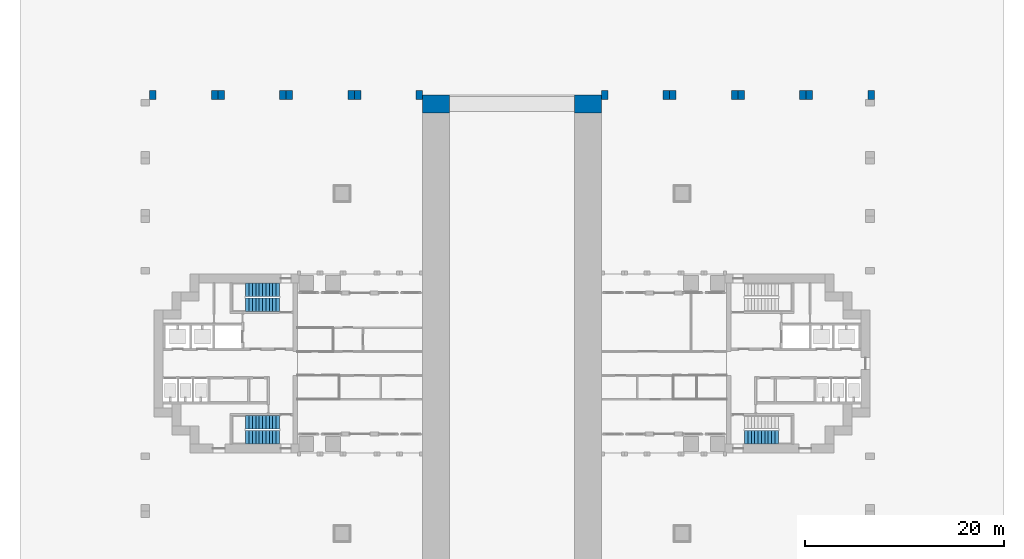
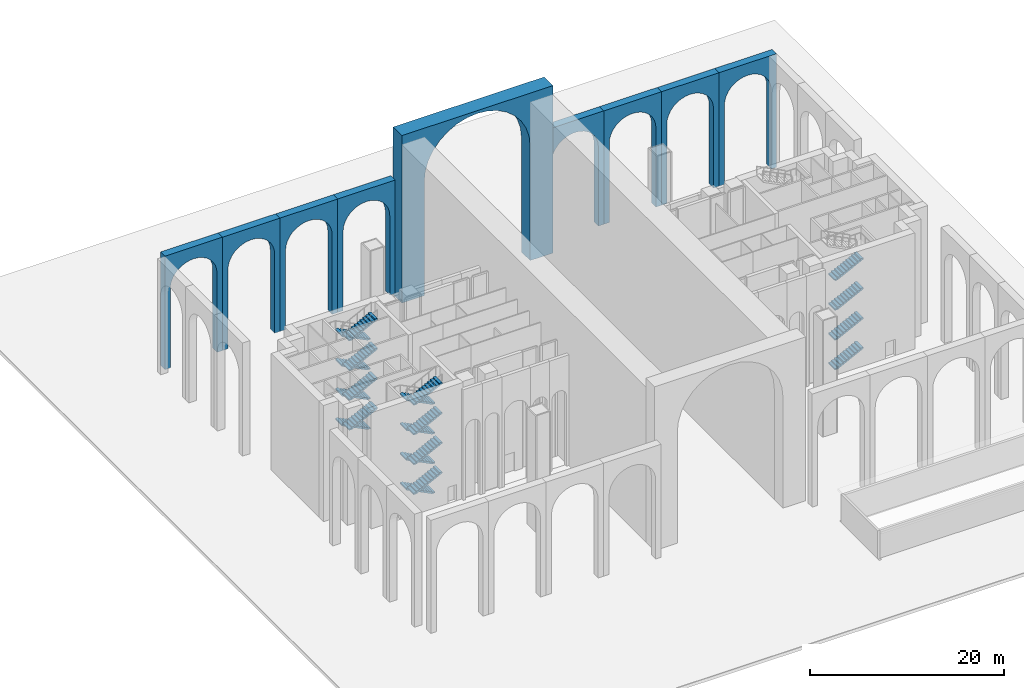
# One storey, part 10 of 18: 20 stair flights, 9 walls, 3 elements without a shape of their own.
"""IFC4 building model written with IfcOpenShell, lengths in metres."""

import ifcopenshell
import ifcopenshell.guid

model = None  # the IFC model being written
_history = None  # IfcOwnerHistory: only IFC2X3 demands one
_inside = {}  # id of a spatial element -> (the spatial element, [elements in it])
_under = {}  # id of a project, library or spatial element -> (it, [spatial elements below it])
_declared = {}  # id of a project -> (the project, [libraries it declares])
_typed = {}  # id of a type object -> (the type object, [elements of that type])
_made_of = {}  # id of a material, layer set ... -> (it, [elements and type objects made of it])


def new_model(schema):
    """Start an empty IFC model of exactly this schema.

    Asked for "IFC4X3", IfcOpenShell would pick the latest addendum, in which some entities
    have other attributes; the version numbers below select the first issue.
    IFC2X3 requires an IfcOwnerHistory on every rooted entity: one is made here for all.
    """
    global model, _history
    if schema == "IFC4X3":
        model = ifcopenshell.file(schema_version=(4, 3, 0, 0))
    else:
        model = ifcopenshell.file(schema=schema)
    _inside.clear()
    _under.clear()
    _declared.clear()
    _typed.clear()
    _made_of.clear()
    _history = None
    if model.schema == "IFC2X3":
        org = make("IfcOrganization", Name="unknown")
        user = make(
            "IfcPersonAndOrganization",
            ThePerson=make("IfcPerson", FamilyName="unknown"),
            TheOrganization=org,
        )
        app = make(
            "IfcApplication",
            ApplicationDeveloper=org,
            Version="unknown",
            ApplicationFullName="unknown",
            ApplicationIdentifier="unknown",
        )
        _history = make(
            "IfcOwnerHistory",
            OwningUser=user,
            OwningApplication=app,
            ChangeAction="ADDED",
            CreationDate=0,
        )
    return model


def make(cls, **values):
    """One entity of the class cls with the attributes given. An attribute that is None is left unset."""
    return model.create_entity(
        cls, **{name: value for name, value in values.items() if value is not None}
    )


def rooted(cls, **values):
    """An entity with a GlobalId (a new one), such as an element, a storey or a relation."""
    return make(cls, GlobalId=ifcopenshell.guid.new(), OwnerHistory=_history, **values)


def si_unit(unit_type, name, prefix=None):
    """IfcSIUnit, for example si_unit("LENGTHUNIT", "METRE", prefix="MILLI")."""
    return make("IfcSIUnit", UnitType=unit_type, Prefix=prefix, Name=name)


def assignment(units):
    """IfcUnitAssignment: the units of a project."""
    return None if units is None else make("IfcUnitAssignment", Units=units)


def point(xyz):
    """IfcCartesianPoint."""
    return None if xyz is None else make("IfcCartesianPoint", Coordinates=xyz)


def direction(xyz):
    """IfcDirection."""
    return None if xyz is None else make("IfcDirection", DirectionRatios=xyz)


def frame(location, z_axis=None, x_axis=None):
    """IfcAxis2Placement3D, a coordinate frame: its origin and axes. An axis left out is left unset."""
    return make(
        "IfcAxis2Placement3D",
        Location=point(location),
        Axis=direction(z_axis),
        RefDirection=direction(x_axis),
    )


def origin():
    """The frame at (0, 0, 0) with its axes left unset."""
    return frame((0.0, 0.0, 0.0))


def place(relative_to, where):
    """IfcLocalPlacement: puts the frame where relative to a parent placement (None: the world)."""
    return make(
        "IfcLocalPlacement", PlacementRelTo=relative_to, RelativePlacement=where
    )


def context(
    kind, dimensions, precision=None, world=None, true_north=None, identifier=None
):
    """IfcGeometricRepresentationContext, for example the 3D "Model" context."""
    return make(
        "IfcGeometricRepresentationContext",
        ContextIdentifier=identifier,
        ContextType=kind,
        CoordinateSpaceDimension=dimensions,
        Precision=precision,
        WorldCoordinateSystem=world,
        TrueNorth=true_north,
    )


def subcontext(parent, identifier, kind, view, scale=None):
    """IfcGeometricRepresentationSubContext, for example "Body" below "Model"."""
    return make(
        "IfcGeometricRepresentationSubContext",
        ContextIdentifier=identifier,
        ContextType=kind,
        ParentContext=parent,
        TargetScale=scale,
        TargetView=view,
    )


def project(units=None, contexts=None):
    """IfcProject with its units and contexts."""
    return rooted(
        "IfcProject",
        Name="project",
        RepresentationContexts=contexts,
        UnitsInContext=assignment(units),
    )


def spatial(cls, under=None, at=None, **own):
    """A site, building, storey or space (cls), placed at a placement, below another one or the project."""
    s = rooted(cls, ObjectPlacement=at, **own)
    if under is not None:
        _under.setdefault(under.id(), (under, []))[1].append(s)
    return s


def polyline(points):
    """IfcPolyline through the points."""
    return make("IfcPolyline", Points=[point(p) for p in points])


def outline(outer, holes=None, kind="AREA"):
    """IfcArbitraryClosedProfileDef: a profile drawn as a closed curve; with holes, ...WithVoids."""
    if holes is None:
        return make("IfcArbitraryClosedProfileDef", ProfileType=kind, OuterCurve=outer)
    return make(
        "IfcArbitraryProfileDefWithVoids",
        ProfileType=kind,
        OuterCurve=outer,
        InnerCurves=holes,
    )


def extrude(swept, where, along, depth):
    """IfcExtrudedAreaSolid: the profile swept, set in the frame where, extruded along a direction by depth."""
    return make(
        "IfcExtrudedAreaSolid",
        SweptArea=swept,
        Position=where,
        ExtrudedDirection=direction(along),
        Depth=depth,
    )


def shape(context_of_items, identifier, shape_type, items):
    """IfcShapeRepresentation: the items that make up one representation, for example the "Body"."""
    return make(
        "IfcShapeRepresentation",
        ContextOfItems=context_of_items,
        RepresentationIdentifier=identifier,
        RepresentationType=shape_type,
        Items=items,
    )


def material(Name=None, Category=None):
    """IfcMaterial."""
    return make("IfcMaterial", Name=Name, Category=Category)


def layer(
    of_material, thickness, ventilated=None, Name=None, Category=None, Priority=None
):
    """IfcMaterialLayer: one layer of a wall or slab, of a material (None: an air gap)."""
    return make(
        "IfcMaterialLayer",
        Material=of_material,
        LayerThickness=thickness,
        IsVentilated=ventilated,
        Name=Name,
        Category=Category,
        Priority=Priority,
    )


def layer_set(layers, Name=None):
    """IfcMaterialLayerSet."""
    return make("IfcMaterialLayerSet", MaterialLayers=layers, LayerSetName=Name)


def material_profile(
    of_material, cross_section, Name=None, Category=None, Priority=None
):
    """IfcMaterialProfile: a cross section and its material."""
    return make(
        "IfcMaterialProfile",
        Name=Name,
        Material=of_material,
        Profile=cross_section,
        Priority=Priority,
        Category=Category,
    )


def profile_set(profiles, Name=None, composite=None):
    """IfcMaterialProfileSet."""
    return make(
        "IfcMaterialProfileSet",
        Name=Name,
        MaterialProfiles=profiles,
        CompositeProfile=composite,
    )


def made_of(thing, what):
    """Note that an element or type object is made of a material, layer set ...; save() writes the relation."""
    if what is not None:
        _made_of.setdefault(what.id(), (what, []))[1].append(thing)
    return thing


def type_object(cls, material=None, **own):
    """A type object (cls), such as IfcWallType, which elements share."""
    return made_of(rooted(cls, **own), material)


def element(
    cls,
    number,
    at=None,
    inside=None,
    cuts=None,
    type_object=None,
    material=None,
    context=None,
    identifier="Body",
    shape_type=None,
    held_by="IfcProductDefinitionShape",
    body=None,
    shapes=None,
    **own,
):
    """One element of the class cls, such as IfcWall. Its Tag is "e" and its number.

    at: its placement. inside: the storey or other place that contains it. cuts: it is an
    opening in that element (IfcRelVoidsElement). A single representation is given by context,
    identifier, shape_type and body (its items); several are given by shapes. held_by: the class
    of the entity that holds the representations. save() writes the other relations.
    """
    e = rooted(cls, Tag="e%d" % number, ObjectPlacement=at, **own)
    if body is not None:
        shapes = [shape(context, identifier, shape_type, body)]
    if shapes is not None:
        e.Representation = make(held_by, Representations=shapes)
    if inside is not None:
        _inside.setdefault(inside.id(), (inside, []))[1].append(e)
    if cuts is not None:
        rooted(
            "IfcRelVoidsElement", RelatingBuildingElement=cuts, RelatedOpeningElement=e
        )
    if type_object is not None:
        _typed.setdefault(type_object.id(), (type_object, []))[1].append(e)
    return made_of(e, material)


def aggregate(whole, parts):
    """IfcRelAggregates: a whole, such as a stair, and the parts it consists of."""
    return rooted("IfcRelAggregates", RelatingObject=whole, RelatedObjects=parts)


def save(model, path):
    """Write the relations noted so far, then the file.

    IfcRelAggregates (storeys below a building ...), IfcRelContainedInSpatialStructure (elements
    in a storey), IfcRelDefinesByType, IfcRelAssociatesMaterial and IfcRelDeclares: one each for
    every whole, place, type object, material and project.
    """
    for whole, parts in _under.values():
        aggregate(whole, parts)
    for where, things in _inside.values():
        rooted(
            "IfcRelContainedInSpatialStructure",
            RelatedElements=things,
            RelatingStructure=where,
        )
    for kind, things in _typed.values():
        rooted("IfcRelDefinesByType", RelatedObjects=things, RelatingType=kind)
    for what, things in _made_of.values():
        rooted("IfcRelAssociatesMaterial", RelatedObjects=things, RelatingMaterial=what)
    for by, libraries in _declared.values():
        rooted("IfcRelDeclares", RelatingContext=by, RelatedDefinitions=libraries)
    model.write(path)


model = new_model("IFC4")

# Units and contexts
model_context = context("Model", 3, precision=1e-05, world=origin(), true_north=direction((0.0, 1.0)))
body_context = subcontext(model_context, "Body", "Model", "MODEL_VIEW")
ifc_project = project(units=[si_unit("LENGTHUNIT", "METRE"), si_unit("AREAUNIT", "SQUARE_METRE"), si_unit("VOLUMEUNIT", "CUBIC_METRE"), si_unit("PLANEANGLEUNIT", "RADIAN"), si_unit("MASSUNIT", "GRAM", prefix="KILO")], contexts=[model_context])

# Site, building, storey
site_placement = place(None, origin())
site = spatial("IfcSite", under=ifc_project, at=site_placement, CompositionType="ELEMENT")
building_placement = place(site_placement, origin())
building = spatial("IfcBuilding", under=site, at=building_placement, Name="Perihelion Cross Residences", CompositionType="ELEMENT")
storey_placement = place(building_placement, origin())
storey = spatial("IfcBuildingStorey", under=building, at=storey_placement, Name="L00", CompositionType="ELEMENT", Elevation=0.0)

# Walls
ifc_material_1 = material(Name="Concrete C50/60", Category="concrete")
ifc_layer = layer(ifc_material_1, 0.89990234375)
ifc_layer_set = layer_set([ifc_layer], Name="Loggia arcade wall 900, arched bay")
wall_type_1 = type_object("IfcWallType", Name="Loggia arcade wall 900, arched bay", PredefinedType="SOLIDWALL", material=ifc_layer_set)
for number, where, z_axis, x_axis, name in (
    (1, (36.449951171875, 26.550048828125, 0.0), (0.0, 1.0, 0.0), (-1.0, 0.0, 0.0), "Wall AR3 L00 loggia north-east north-south bay 1"),
    (2, (29.58740234375, 26.550048828125, 0.0), (0.0, 1.0, 0.0), (-1.0, 0.0, 0.0), "Wall AR3 L00 loggia north-east north-south bay 2"),
    (3, (22.72509765625, 26.550048828125, 0.0), (0.0, 1.0, 0.0), (-1.0, 0.0, 0.0), "Wall AR3 L00 loggia north-east north-south bay 3"),
    (4, (15.862548828125, 26.550048828125, 0.0), (0.0, 1.0, 0.0), (-1.0, 0.0, 0.0), "Wall AR3 L00 loggia north-east north-south bay 4"),
    (5, (-9.0, 26.550048828125, 0.0), (0.0, 1.0, 0.0), (-1.0, 0.0, 0.0), "Wall AR3 L00 loggia north-west north-south bay 1"),
    (6, (-15.862548828125, 26.550048828125, 0.0), (0.0, 1.0, 0.0), (-1.0, 0.0, 0.0), "Wall AR3 L00 loggia north-west north-south bay 2"),
    (7, (-22.72509765625, 26.550048828125, 0.0), (0.0, 1.0, 0.0), (-1.0, 0.0, 0.0), "Wall AR3 L00 loggia north-west north-south bay 3"),
    (8, (-29.58740234375, 26.550048828125, 0.0), (0.0, 1.0, 0.0), (-1.0, 0.0, 0.0), "Wall AR3 L00 loggia north-west north-south bay 4"),
):
    element("IfcWall", number, at=place(storey_placement, frame(where, z_axis=z_axis, x_axis=x_axis)), inside=storey, type_object=wall_type_1, Name=name, PredefinedType="SOLIDWALL", context=body_context, shape_type="SweptSolid", body=[
        extrude(outline(polyline([(0.0, 0.0), (0.64990234375, 0.0), (0.64990234375, 10.0), (0.703369140625, 10.54248046875), (0.86181640625, 11.064453125), (1.11865234375, 11.545166015625), (1.464599609375, 11.966552734375), (1.885986328125, 12.3125), (2.366943359375, 12.569580078125), (2.888671875, 12.727783203125), (3.43115234375, 12.78125), (3.973876953125, 12.727783203125), (4.49560546875, 12.569580078125), (4.976318359375, 12.3125), (5.39794921875, 11.966552734375), (5.743896484375, 11.545166015625), (6.000732421875, 11.064453125), (6.1591796875, 10.54248046875), (6.21240234375, 10.0), (6.21240234375, 0.0), (6.862548828125, 0.0), (6.862548828125, 14.300048828125), (0.0, 14.300048828125), (0.0, 0.0)])), origin(), (0.0, 0.0, 1.0), 0.89990234375),
    ])
ifc_material_2 = material(Name="Concrete C60/75", Category="concrete")
ifc_material_profile = material_profile(ifc_material_2, outline(polyline([(9.0, 21.10009765625), (-9.0, 21.10009765625), (-9.0, 0.0), (-6.300048828125, 0.0), (-6.300048828125, 14.449951171875), (-6.178955078125, 15.678955078125), (-5.820556640625, 16.86083984375), (-5.23828125, 17.9501953125), (-4.454833984375, 18.90478515625), (-3.5, 19.688232421875), (-2.410888671875, 20.2705078125), (-1.22900390625, 20.62890625), (0.0, 20.75), (1.22900390625, 20.62890625), (2.410888671875, 20.2705078125), (3.5, 19.688232421875), (4.454833984375, 18.90478515625), (5.23828125, 17.9501953125), (5.820556640625, 16.86083984375), (6.178955078125, 15.678955078125), (6.300048828125, 14.449951171875), (6.300048828125, 0.0), (9.0, 0.0), (9.0, 21.10009765625)])), Name="Portal wall")
ifc_profile_set = profile_set([ifc_material_profile], Name="Concrete C60/75")
wall_type_2 = type_object("IfcWallType", Name="Portal wall 1800 concrete C60/75", PredefinedType="SOLIDWALL", material=ifc_profile_set)
wall_placement = place(storey_placement, frame((0.0, 25.199951171875, -0.39990234375), z_axis=(0.0, 1.0, 0.0), x_axis=(-1.0, 0.0, 0.0)))
element("IfcWall", 9, at=wall_placement, inside=storey, type_object=wall_type_2, Name="Wall SW12 L00 portal north", PredefinedType="SOLIDWALL", context=body_context, shape_type="SweptSolid", body=[
    extrude(outline(polyline([(9.0, 21.10009765625), (-9.0, 21.10009765625), (-9.0, 0.0), (-6.300048828125, 0.0), (-6.300048828125, 14.449951171875), (-6.178955078125, 15.678955078125), (-5.820556640625, 16.86083984375), (-5.23828125, 17.9501953125), (-4.454833984375, 18.90478515625), (-3.5, 19.688232421875), (-2.410888671875, 20.2705078125), (-1.22900390625, 20.62890625), (0.0, 20.75), (1.22900390625, 20.62890625), (2.410888671875, 20.2705078125), (3.5, 19.688232421875), (4.454833984375, 18.90478515625), (5.23828125, 17.9501953125), (5.820556640625, 16.86083984375), (6.178955078125, 15.678955078125), (6.300048828125, 14.449951171875), (6.300048828125, 0.0), (9.0, 0.0), (9.0, 21.10009765625)])), origin(), (0.0, 0.0, 1.0), 1.800048828125),
])

# Stair, stair flights
ifc_material_3 = material(Name="Concrete C40/50", Category="concrete")
stair_type = type_object("IfcStairType", Name="Exit stair, half-turn", PredefinedType="HALF_TURN_STAIR", material=ifc_material_3)
stair_1_placement = place(storey_placement, origin())
stair_1 = element("IfcStair", 10, at=stair_1_placement, inside=storey, type_object=stair_type, Name="L00 East core exit stair 2", PredefinedType="HALF_TURN_STAIR")
ifc_material_4 = material(Name="Concrete C40/50", Category="concrete")
stair_flight_type = type_object("IfcStairFlightType", Name="Exit stair flight", PredefinedType="STRAIGHT", material=ifc_material_4)
stair_flight_1_placement = place(storey_placement, frame((23.39990234375, -7.425048828125, 0.0), z_axis=(0.0, 0.0, 1.0), x_axis=(1.0, 0.0, 0.0)))
stair_flight_1 = element("IfcStairFlight", 11, at=stair_flight_1_placement, type_object=stair_flight_type, Name="ST-E2 flight 1", NumberOfRisers=11, NumberOfTreads=10, PredefinedType="STRAIGHT", RiserHeight=0.170454545, TreadLength=0.34, context=body_context, shape_type="SweptSolid", body=[
    extrude(outline(polyline([(0.0, 0.0), (0.0, 0.17041015625), (0.340087890625, 0.17041015625), (0.340087890625, 0.3408203125), (0.679931640625, 0.3408203125), (0.679931640625, 0.511474609375), (1.02001953125, 0.511474609375), (1.02001953125, 0.681884765625), (1.360107421875, 0.681884765625), (1.360107421875, 0.852294921875), (1.699951171875, 0.852294921875), (1.699951171875, 1.022705078125), (2.0400390625, 1.022705078125), (2.0400390625, 1.193115234375), (2.3798828125, 1.193115234375), (2.3798828125, 1.363525390625), (2.719970703125, 1.363525390625), (2.719970703125, 1.5341796875), (3.06005859375, 1.5341796875), (3.06005859375, 1.70458984375), (3.39990234375, 1.70458984375), (3.39990234375, 1.875), (3.39990234375, 1.536865234375), (0.33447265625, 0.0), (0.0, 0.0)])), frame((0.0, 0.675048828125, 0.0), z_axis=(0.0, -1.0, 0.0), x_axis=(1.0, 0.0, 0.0)), (0.0, 0.0, 1.0), 1.35009765625),
])
stair_flight_2_placement = place(storey_placement, frame((23.39990234375, -7.425048828125, 3.75), z_axis=(0.0, 0.0, 1.0), x_axis=(1.0, 0.0, 0.0)))
stair_flight_2 = element("IfcStairFlight", 12, at=stair_flight_2_placement, type_object=stair_flight_type, Name="ST-E2 flight 3", NumberOfRisers=11, NumberOfTreads=10, PredefinedType="STRAIGHT", RiserHeight=0.170454545, TreadLength=0.34, context=body_context, shape_type="SweptSolid", body=[
    extrude(outline(polyline([(0.0, 0.0), (0.0, 0.17041015625), (0.340087890625, 0.17041015625), (0.340087890625, 0.3408203125), (0.679931640625, 0.3408203125), (0.679931640625, 0.511474609375), (1.02001953125, 0.511474609375), (1.02001953125, 0.681884765625), (1.360107421875, 0.681884765625), (1.360107421875, 0.852294921875), (1.699951171875, 0.852294921875), (1.699951171875, 1.022705078125), (2.0400390625, 1.022705078125), (2.0400390625, 1.193115234375), (2.3798828125, 1.193115234375), (2.3798828125, 1.363525390625), (2.719970703125, 1.363525390625), (2.719970703125, 1.5341796875), (3.06005859375, 1.5341796875), (3.06005859375, 1.70458984375), (3.39990234375, 1.70458984375), (3.39990234375, 1.875), (3.39990234375, 1.536865234375), (0.33447265625, 0.0), (0.0, 0.0)])), frame((0.0, 0.675048828125, 0.0), z_axis=(0.0, -1.0, 0.0), x_axis=(1.0, 0.0, 0.0)), (0.0, 0.0, 1.0), 1.35009765625),
])
stair_flight_3_placement = place(storey_placement, frame((23.39990234375, -7.425048828125, 7.5), z_axis=(0.0, 0.0, 1.0), x_axis=(1.0, 0.0, 0.0)))
stair_flight_3 = element("IfcStairFlight", 13, at=stair_flight_3_placement, type_object=stair_flight_type, Name="ST-E2 flight 5", NumberOfRisers=11, NumberOfTreads=10, PredefinedType="STRAIGHT", RiserHeight=0.170454545, TreadLength=0.34, context=body_context, shape_type="SweptSolid", body=[
    extrude(outline(polyline([(0.0, 0.0), (0.0, 0.17041015625), (0.340087890625, 0.17041015625), (0.340087890625, 0.3408203125), (0.679931640625, 0.3408203125), (0.679931640625, 0.511474609375), (1.02001953125, 0.511474609375), (1.02001953125, 0.681884765625), (1.360107421875, 0.681884765625), (1.360107421875, 0.852294921875), (1.699951171875, 0.852294921875), (1.699951171875, 1.022705078125), (2.0400390625, 1.022705078125), (2.0400390625, 1.193115234375), (2.3798828125, 1.193115234375), (2.3798828125, 1.363525390625), (2.719970703125, 1.363525390625), (2.719970703125, 1.5341796875), (3.06005859375, 1.5341796875), (3.06005859375, 1.70458984375), (3.39990234375, 1.70458984375), (3.39990234375, 1.875), (3.39990234375, 1.536865234375), (0.33447265625, 0.0), (0.0, 0.0)])), frame((0.0, 0.675048828125, 0.0), z_axis=(0.0, -1.0, 0.0), x_axis=(1.0, 0.0, 0.0)), (0.0, 0.0, 1.0), 1.35009765625),
])
stair_flight_4_placement = place(storey_placement, frame((23.39990234375, -7.425048828125, 11.25), z_axis=(0.0, 0.0, 1.0), x_axis=(1.0, 0.0, 0.0)))
stair_flight_4 = element("IfcStairFlight", 14, at=stair_flight_4_placement, type_object=stair_flight_type, Name="ST-E2 flight 7", NumberOfRisers=11, NumberOfTreads=10, PredefinedType="STRAIGHT", RiserHeight=0.170454545, TreadLength=0.34, context=body_context, shape_type="SweptSolid", body=[
    extrude(outline(polyline([(0.0, 0.0), (0.0, 0.17041015625), (0.340087890625, 0.17041015625), (0.340087890625, 0.3408203125), (0.679931640625, 0.3408203125), (0.679931640625, 0.511474609375), (1.02001953125, 0.511474609375), (1.02001953125, 0.681884765625), (1.360107421875, 0.681884765625), (1.360107421875, 0.852294921875), (1.699951171875, 0.852294921875), (1.699951171875, 1.022705078125), (2.0400390625, 1.022705078125), (2.0400390625, 1.193115234375), (2.3798828125, 1.193115234375), (2.3798828125, 1.363525390625), (2.719970703125, 1.363525390625), (2.719970703125, 1.5341796875), (3.06005859375, 1.5341796875), (3.06005859375, 1.70458984375), (3.39990234375, 1.70458984375), (3.39990234375, 1.875), (3.39990234375, 1.536865234375), (0.33447265625, 0.0), (0.0, 0.0)])), frame((0.0, 0.675048828125, 0.0), z_axis=(0.0, -1.0, 0.0), x_axis=(1.0, 0.0, 0.0)), (0.0, 0.0, 1.0), 1.35009765625),
])
aggregate(stair_1, [stair_flight_1, stair_flight_2, stair_flight_3, stair_flight_4])

stair_2_placement = place(storey_placement, origin())
stair_2 = element("IfcStair", 15, at=stair_2_placement, inside=storey, type_object=stair_type, Name="L00 West core exit stair 1", PredefinedType="HALF_TURN_STAIR")
stair_flight_5_placement = place(storey_placement, frame((-23.39990234375, 7.425048828125, 0.0), z_axis=(0.0, 0.0, 1.0), x_axis=(-1.0, 0.0, 0.0)))
stair_flight_5 = element("IfcStairFlight", 16, at=stair_flight_5_placement, type_object=stair_flight_type, Name="ST-W1 flight 1", NumberOfRisers=11, NumberOfTreads=10, PredefinedType="STRAIGHT", RiserHeight=0.170454545, TreadLength=0.34, context=body_context, shape_type="SweptSolid", body=[
    extrude(outline(polyline([(0.0, 0.0), (0.0, 0.17041015625), (0.340087890625, 0.17041015625), (0.340087890625, 0.3408203125), (0.679931640625, 0.3408203125), (0.679931640625, 0.511474609375), (1.02001953125, 0.511474609375), (1.02001953125, 0.681884765625), (1.360107421875, 0.681884765625), (1.360107421875, 0.852294921875), (1.699951171875, 0.852294921875), (1.699951171875, 1.022705078125), (2.0400390625, 1.022705078125), (2.0400390625, 1.193115234375), (2.3798828125, 1.193115234375), (2.3798828125, 1.363525390625), (2.719970703125, 1.363525390625), (2.719970703125, 1.5341796875), (3.06005859375, 1.5341796875), (3.06005859375, 1.70458984375), (3.39990234375, 1.70458984375), (3.39990234375, 1.875), (3.39990234375, 1.536865234375), (0.33447265625, 0.0), (0.0, 0.0)])), frame((0.0, 0.675048828125, 0.0), z_axis=(0.0, -1.0, 0.0), x_axis=(1.0, 0.0, 0.0)), (0.0, 0.0, 1.0), 1.35009765625),
])
stair_flight_6_placement = place(storey_placement, frame((-26.800048828125, 5.925048828125, 1.875), z_axis=(0.0, 0.0, 1.0), x_axis=(1.0, 0.0, 0.0)))
stair_flight_6 = element("IfcStairFlight", 17, at=stair_flight_6_placement, type_object=stair_flight_type, Name="ST-W1 flight 2", NumberOfRisers=11, NumberOfTreads=10, PredefinedType="STRAIGHT", RiserHeight=0.170454545, TreadLength=0.34, context=body_context, shape_type="SweptSolid", body=[
    extrude(outline(polyline([(0.0, 0.0), (0.0, 0.17041015625), (0.340087890625, 0.17041015625), (0.340087890625, 0.3408203125), (0.679931640625, 0.3408203125), (0.679931640625, 0.511474609375), (1.02001953125, 0.511474609375), (1.02001953125, 0.681884765625), (1.360107421875, 0.681884765625), (1.360107421875, 0.852294921875), (1.699951171875, 0.852294921875), (1.699951171875, 1.022705078125), (2.0400390625, 1.022705078125), (2.0400390625, 1.193115234375), (2.3798828125, 1.193115234375), (2.3798828125, 1.363525390625), (2.719970703125, 1.363525390625), (2.719970703125, 1.5341796875), (3.06005859375, 1.5341796875), (3.06005859375, 1.70458984375), (3.39990234375, 1.70458984375), (3.39990234375, 1.875), (3.39990234375, 1.536865234375), (0.33447265625, 0.0), (0.0, 0.0)])), frame((0.0, 0.675048828125, 0.0), z_axis=(0.0, -1.0, 0.0), x_axis=(1.0, 0.0, 0.0)), (0.0, 0.0, 1.0), 1.35009765625),
])
stair_flight_7_placement = place(storey_placement, frame((-23.39990234375, 7.425048828125, 3.75), z_axis=(0.0, 0.0, 1.0), x_axis=(-1.0, 0.0, 0.0)))
stair_flight_7 = element("IfcStairFlight", 18, at=stair_flight_7_placement, type_object=stair_flight_type, Name="ST-W1 flight 3", NumberOfRisers=11, NumberOfTreads=10, PredefinedType="STRAIGHT", RiserHeight=0.170454545, TreadLength=0.34, context=body_context, shape_type="SweptSolid", body=[
    extrude(outline(polyline([(0.0, 0.0), (0.0, 0.17041015625), (0.340087890625, 0.17041015625), (0.340087890625, 0.3408203125), (0.679931640625, 0.3408203125), (0.679931640625, 0.511474609375), (1.02001953125, 0.511474609375), (1.02001953125, 0.681884765625), (1.360107421875, 0.681884765625), (1.360107421875, 0.852294921875), (1.699951171875, 0.852294921875), (1.699951171875, 1.022705078125), (2.0400390625, 1.022705078125), (2.0400390625, 1.193115234375), (2.3798828125, 1.193115234375), (2.3798828125, 1.363525390625), (2.719970703125, 1.363525390625), (2.719970703125, 1.5341796875), (3.06005859375, 1.5341796875), (3.06005859375, 1.70458984375), (3.39990234375, 1.70458984375), (3.39990234375, 1.875), (3.39990234375, 1.536865234375), (0.33447265625, 0.0), (0.0, 0.0)])), frame((0.0, 0.675048828125, 0.0), z_axis=(0.0, -1.0, 0.0), x_axis=(1.0, 0.0, 0.0)), (0.0, 0.0, 1.0), 1.35009765625),
])
stair_flight_8_placement = place(storey_placement, frame((-26.800048828125, 5.925048828125, 5.625), z_axis=(0.0, 0.0, 1.0), x_axis=(1.0, 0.0, 0.0)))
stair_flight_8 = element("IfcStairFlight", 19, at=stair_flight_8_placement, type_object=stair_flight_type, Name="ST-W1 flight 4", NumberOfRisers=11, NumberOfTreads=10, PredefinedType="STRAIGHT", RiserHeight=0.170454545, TreadLength=0.34, context=body_context, shape_type="SweptSolid", body=[
    extrude(outline(polyline([(0.0, 0.0), (0.0, 0.17041015625), (0.340087890625, 0.17041015625), (0.340087890625, 0.3408203125), (0.679931640625, 0.3408203125), (0.679931640625, 0.511474609375), (1.02001953125, 0.511474609375), (1.02001953125, 0.681884765625), (1.360107421875, 0.681884765625), (1.360107421875, 0.852294921875), (1.699951171875, 0.852294921875), (1.699951171875, 1.022705078125), (2.0400390625, 1.022705078125), (2.0400390625, 1.193115234375), (2.3798828125, 1.193115234375), (2.3798828125, 1.363525390625), (2.719970703125, 1.363525390625), (2.719970703125, 1.5341796875), (3.06005859375, 1.5341796875), (3.06005859375, 1.70458984375), (3.39990234375, 1.70458984375), (3.39990234375, 1.875), (3.39990234375, 1.536865234375), (0.33447265625, 0.0), (0.0, 0.0)])), frame((0.0, 0.675048828125, 0.0), z_axis=(0.0, -1.0, 0.0), x_axis=(1.0, 0.0, 0.0)), (0.0, 0.0, 1.0), 1.35009765625),
])
stair_flight_9_placement = place(storey_placement, frame((-23.39990234375, 7.425048828125, 7.5), z_axis=(0.0, 0.0, 1.0), x_axis=(-1.0, 0.0, 0.0)))
stair_flight_9 = element("IfcStairFlight", 20, at=stair_flight_9_placement, type_object=stair_flight_type, Name="ST-W1 flight 5", NumberOfRisers=11, NumberOfTreads=10, PredefinedType="STRAIGHT", RiserHeight=0.170454545, TreadLength=0.34, context=body_context, shape_type="SweptSolid", body=[
    extrude(outline(polyline([(0.0, 0.0), (0.0, 0.17041015625), (0.340087890625, 0.17041015625), (0.340087890625, 0.3408203125), (0.679931640625, 0.3408203125), (0.679931640625, 0.511474609375), (1.02001953125, 0.511474609375), (1.02001953125, 0.681884765625), (1.360107421875, 0.681884765625), (1.360107421875, 0.852294921875), (1.699951171875, 0.852294921875), (1.699951171875, 1.022705078125), (2.0400390625, 1.022705078125), (2.0400390625, 1.193115234375), (2.3798828125, 1.193115234375), (2.3798828125, 1.363525390625), (2.719970703125, 1.363525390625), (2.719970703125, 1.5341796875), (3.06005859375, 1.5341796875), (3.06005859375, 1.70458984375), (3.39990234375, 1.70458984375), (3.39990234375, 1.875), (3.39990234375, 1.536865234375), (0.33447265625, 0.0), (0.0, 0.0)])), frame((0.0, 0.675048828125, 0.0), z_axis=(0.0, -1.0, 0.0), x_axis=(1.0, 0.0, 0.0)), (0.0, 0.0, 1.0), 1.35009765625),
])
stair_flight_10_placement = place(storey_placement, frame((-26.800048828125, 5.925048828125, 9.375), z_axis=(0.0, 0.0, 1.0), x_axis=(1.0, 0.0, 0.0)))
stair_flight_10 = element("IfcStairFlight", 21, at=stair_flight_10_placement, type_object=stair_flight_type, Name="ST-W1 flight 6", NumberOfRisers=11, NumberOfTreads=10, PredefinedType="STRAIGHT", RiserHeight=0.170454545, TreadLength=0.34, context=body_context, shape_type="SweptSolid", body=[
    extrude(outline(polyline([(0.0, 0.0), (0.0, 0.17041015625), (0.340087890625, 0.17041015625), (0.340087890625, 0.3408203125), (0.679931640625, 0.3408203125), (0.679931640625, 0.511474609375), (1.02001953125, 0.511474609375), (1.02001953125, 0.681884765625), (1.360107421875, 0.681884765625), (1.360107421875, 0.852294921875), (1.699951171875, 0.852294921875), (1.699951171875, 1.022705078125), (2.0400390625, 1.022705078125), (2.0400390625, 1.193115234375), (2.3798828125, 1.193115234375), (2.3798828125, 1.363525390625), (2.719970703125, 1.363525390625), (2.719970703125, 1.5341796875), (3.06005859375, 1.5341796875), (3.06005859375, 1.70458984375), (3.39990234375, 1.70458984375), (3.39990234375, 1.875), (3.39990234375, 1.536865234375), (0.33447265625, 0.0), (0.0, 0.0)])), frame((0.0, 0.675048828125, 0.0), z_axis=(0.0, -1.0, 0.0), x_axis=(1.0, 0.0, 0.0)), (0.0, 0.0, 1.0), 1.35009765625),
])
stair_flight_11_placement = place(storey_placement, frame((-23.39990234375, 7.425048828125, 11.25), z_axis=(0.0, 0.0, 1.0), x_axis=(-1.0, 0.0, 0.0)))
stair_flight_11 = element("IfcStairFlight", 22, at=stair_flight_11_placement, type_object=stair_flight_type, Name="ST-W1 flight 7", NumberOfRisers=11, NumberOfTreads=10, PredefinedType="STRAIGHT", RiserHeight=0.170454545, TreadLength=0.34, context=body_context, shape_type="SweptSolid", body=[
    extrude(outline(polyline([(0.0, 0.0), (0.0, 0.17041015625), (0.340087890625, 0.17041015625), (0.340087890625, 0.3408203125), (0.679931640625, 0.3408203125), (0.679931640625, 0.511474609375), (1.02001953125, 0.511474609375), (1.02001953125, 0.681884765625), (1.360107421875, 0.681884765625), (1.360107421875, 0.852294921875), (1.699951171875, 0.852294921875), (1.699951171875, 1.022705078125), (2.0400390625, 1.022705078125), (2.0400390625, 1.193115234375), (2.3798828125, 1.193115234375), (2.3798828125, 1.363525390625), (2.719970703125, 1.363525390625), (2.719970703125, 1.5341796875), (3.06005859375, 1.5341796875), (3.06005859375, 1.70458984375), (3.39990234375, 1.70458984375), (3.39990234375, 1.875), (3.39990234375, 1.536865234375), (0.33447265625, 0.0), (0.0, 0.0)])), frame((0.0, 0.675048828125, 0.0), z_axis=(0.0, -1.0, 0.0), x_axis=(1.0, 0.0, 0.0)), (0.0, 0.0, 1.0), 1.35009765625),
])
stair_flight_12_placement = place(storey_placement, frame((-26.800048828125, 5.925048828125, 13.125), z_axis=(0.0, 0.0, 1.0), x_axis=(1.0, 0.0, 0.0)))
stair_flight_12 = element("IfcStairFlight", 23, at=stair_flight_12_placement, type_object=stair_flight_type, Name="ST-W1 flight 8", NumberOfRisers=11, NumberOfTreads=10, PredefinedType="STRAIGHT", RiserHeight=0.170454545, TreadLength=0.34, context=body_context, shape_type="SweptSolid", body=[
    extrude(outline(polyline([(0.0, 0.0), (0.0, 0.17041015625), (0.340087890625, 0.17041015625), (0.340087890625, 0.3408203125), (0.679931640625, 0.3408203125), (0.679931640625, 0.511474609375), (1.02001953125, 0.511474609375), (1.02001953125, 0.681884765625), (1.360107421875, 0.681884765625), (1.360107421875, 0.852294921875), (1.699951171875, 0.852294921875), (1.699951171875, 1.022705078125), (2.0400390625, 1.022705078125), (2.0400390625, 1.193115234375), (2.3798828125, 1.193115234375), (2.3798828125, 1.363525390625), (2.719970703125, 1.363525390625), (2.719970703125, 1.5341796875), (3.06005859375, 1.5341796875), (3.06005859375, 1.70458984375), (3.39990234375, 1.70458984375), (3.39990234375, 1.875), (3.39990234375, 1.536865234375), (0.33447265625, 0.0), (0.0, 0.0)])), frame((0.0, 0.675048828125, 0.0), z_axis=(0.0, -1.0, 0.0), x_axis=(1.0, 0.0, 0.0)), (0.0, 0.0, 1.0), 1.35009765625),
])
aggregate(stair_2, [stair_flight_5, stair_flight_6, stair_flight_7, stair_flight_8, stair_flight_9, stair_flight_10, stair_flight_11, stair_flight_12])

stair_3_placement = place(storey_placement, origin())
stair_3 = element("IfcStair", 24, at=stair_3_placement, inside=storey, type_object=stair_type, Name="L00 West core exit stair 2", PredefinedType="HALF_TURN_STAIR")
stair_flight_13_placement = place(storey_placement, frame((-23.39990234375, -5.925048828125, 0.0), z_axis=(0.0, 0.0, 1.0), x_axis=(-1.0, 0.0, 0.0)))
stair_flight_13 = element("IfcStairFlight", 25, at=stair_flight_13_placement, type_object=stair_flight_type, Name="ST-W2 flight 1", NumberOfRisers=11, NumberOfTreads=10, PredefinedType="STRAIGHT", RiserHeight=0.170454545, TreadLength=0.34, context=body_context, shape_type="SweptSolid", body=[
    extrude(outline(polyline([(0.0, 0.0), (0.0, 0.17041015625), (0.340087890625, 0.17041015625), (0.340087890625, 0.3408203125), (0.679931640625, 0.3408203125), (0.679931640625, 0.511474609375), (1.02001953125, 0.511474609375), (1.02001953125, 0.681884765625), (1.360107421875, 0.681884765625), (1.360107421875, 0.852294921875), (1.699951171875, 0.852294921875), (1.699951171875, 1.022705078125), (2.0400390625, 1.022705078125), (2.0400390625, 1.193115234375), (2.3798828125, 1.193115234375), (2.3798828125, 1.363525390625), (2.719970703125, 1.363525390625), (2.719970703125, 1.5341796875), (3.06005859375, 1.5341796875), (3.06005859375, 1.70458984375), (3.39990234375, 1.70458984375), (3.39990234375, 1.875), (3.39990234375, 1.536865234375), (0.33447265625, 0.0), (0.0, 0.0)])), frame((0.0, 0.675048828125, 0.0), z_axis=(0.0, -1.0, 0.0), x_axis=(1.0, 0.0, 0.0)), (0.0, 0.0, 1.0), 1.35009765625),
])
stair_flight_14_placement = place(storey_placement, frame((-26.800048828125, -7.425048828125, 1.875), z_axis=(0.0, 0.0, 1.0), x_axis=(1.0, 0.0, 0.0)))
stair_flight_14 = element("IfcStairFlight", 26, at=stair_flight_14_placement, type_object=stair_flight_type, Name="ST-W2 flight 2", NumberOfRisers=11, NumberOfTreads=10, PredefinedType="STRAIGHT", RiserHeight=0.170454545, TreadLength=0.34, context=body_context, shape_type="SweptSolid", body=[
    extrude(outline(polyline([(0.0, 0.0), (0.0, 0.17041015625), (0.340087890625, 0.17041015625), (0.340087890625, 0.3408203125), (0.679931640625, 0.3408203125), (0.679931640625, 0.511474609375), (1.02001953125, 0.511474609375), (1.02001953125, 0.681884765625), (1.360107421875, 0.681884765625), (1.360107421875, 0.852294921875), (1.699951171875, 0.852294921875), (1.699951171875, 1.022705078125), (2.0400390625, 1.022705078125), (2.0400390625, 1.193115234375), (2.3798828125, 1.193115234375), (2.3798828125, 1.363525390625), (2.719970703125, 1.363525390625), (2.719970703125, 1.5341796875), (3.06005859375, 1.5341796875), (3.06005859375, 1.70458984375), (3.39990234375, 1.70458984375), (3.39990234375, 1.875), (3.39990234375, 1.536865234375), (0.33447265625, 0.0), (0.0, 0.0)])), frame((0.0, 0.675048828125, 0.0), z_axis=(0.0, -1.0, 0.0), x_axis=(1.0, 0.0, 0.0)), (0.0, 0.0, 1.0), 1.35009765625),
])
stair_flight_15_placement = place(storey_placement, frame((-23.39990234375, -5.925048828125, 3.75), z_axis=(0.0, 0.0, 1.0), x_axis=(-1.0, 0.0, 0.0)))
stair_flight_15 = element("IfcStairFlight", 27, at=stair_flight_15_placement, type_object=stair_flight_type, Name="ST-W2 flight 3", NumberOfRisers=11, NumberOfTreads=10, PredefinedType="STRAIGHT", RiserHeight=0.170454545, TreadLength=0.34, context=body_context, shape_type="SweptSolid", body=[
    extrude(outline(polyline([(0.0, 0.0), (0.0, 0.17041015625), (0.340087890625, 0.17041015625), (0.340087890625, 0.3408203125), (0.679931640625, 0.3408203125), (0.679931640625, 0.511474609375), (1.02001953125, 0.511474609375), (1.02001953125, 0.681884765625), (1.360107421875, 0.681884765625), (1.360107421875, 0.852294921875), (1.699951171875, 0.852294921875), (1.699951171875, 1.022705078125), (2.0400390625, 1.022705078125), (2.0400390625, 1.193115234375), (2.3798828125, 1.193115234375), (2.3798828125, 1.363525390625), (2.719970703125, 1.363525390625), (2.719970703125, 1.5341796875), (3.06005859375, 1.5341796875), (3.06005859375, 1.70458984375), (3.39990234375, 1.70458984375), (3.39990234375, 1.875), (3.39990234375, 1.536865234375), (0.33447265625, 0.0), (0.0, 0.0)])), frame((0.0, 0.675048828125, 0.0), z_axis=(0.0, -1.0, 0.0), x_axis=(1.0, 0.0, 0.0)), (0.0, 0.0, 1.0), 1.35009765625),
])
stair_flight_16_placement = place(storey_placement, frame((-26.800048828125, -7.425048828125, 5.625), z_axis=(0.0, 0.0, 1.0), x_axis=(1.0, 0.0, 0.0)))
stair_flight_16 = element("IfcStairFlight", 28, at=stair_flight_16_placement, type_object=stair_flight_type, Name="ST-W2 flight 4", NumberOfRisers=11, NumberOfTreads=10, PredefinedType="STRAIGHT", RiserHeight=0.170454545, TreadLength=0.34, context=body_context, shape_type="SweptSolid", body=[
    extrude(outline(polyline([(0.0, 0.0), (0.0, 0.17041015625), (0.340087890625, 0.17041015625), (0.340087890625, 0.3408203125), (0.679931640625, 0.3408203125), (0.679931640625, 0.511474609375), (1.02001953125, 0.511474609375), (1.02001953125, 0.681884765625), (1.360107421875, 0.681884765625), (1.360107421875, 0.852294921875), (1.699951171875, 0.852294921875), (1.699951171875, 1.022705078125), (2.0400390625, 1.022705078125), (2.0400390625, 1.193115234375), (2.3798828125, 1.193115234375), (2.3798828125, 1.363525390625), (2.719970703125, 1.363525390625), (2.719970703125, 1.5341796875), (3.06005859375, 1.5341796875), (3.06005859375, 1.70458984375), (3.39990234375, 1.70458984375), (3.39990234375, 1.875), (3.39990234375, 1.536865234375), (0.33447265625, 0.0), (0.0, 0.0)])), frame((0.0, 0.675048828125, 0.0), z_axis=(0.0, -1.0, 0.0), x_axis=(1.0, 0.0, 0.0)), (0.0, 0.0, 1.0), 1.35009765625),
])
stair_flight_17_placement = place(storey_placement, frame((-23.39990234375, -5.925048828125, 7.5), z_axis=(0.0, 0.0, 1.0), x_axis=(-1.0, 0.0, 0.0)))
stair_flight_17 = element("IfcStairFlight", 29, at=stair_flight_17_placement, type_object=stair_flight_type, Name="ST-W2 flight 5", NumberOfRisers=11, NumberOfTreads=10, PredefinedType="STRAIGHT", RiserHeight=0.170454545, TreadLength=0.34, context=body_context, shape_type="SweptSolid", body=[
    extrude(outline(polyline([(0.0, 0.0), (0.0, 0.17041015625), (0.340087890625, 0.17041015625), (0.340087890625, 0.3408203125), (0.679931640625, 0.3408203125), (0.679931640625, 0.511474609375), (1.02001953125, 0.511474609375), (1.02001953125, 0.681884765625), (1.360107421875, 0.681884765625), (1.360107421875, 0.852294921875), (1.699951171875, 0.852294921875), (1.699951171875, 1.022705078125), (2.0400390625, 1.022705078125), (2.0400390625, 1.193115234375), (2.3798828125, 1.193115234375), (2.3798828125, 1.363525390625), (2.719970703125, 1.363525390625), (2.719970703125, 1.5341796875), (3.06005859375, 1.5341796875), (3.06005859375, 1.70458984375), (3.39990234375, 1.70458984375), (3.39990234375, 1.875), (3.39990234375, 1.536865234375), (0.33447265625, 0.0), (0.0, 0.0)])), frame((0.0, 0.675048828125, 0.0), z_axis=(0.0, -1.0, 0.0), x_axis=(1.0, 0.0, 0.0)), (0.0, 0.0, 1.0), 1.35009765625),
])
stair_flight_18_placement = place(storey_placement, frame((-26.800048828125, -7.425048828125, 9.375), z_axis=(0.0, 0.0, 1.0), x_axis=(1.0, 0.0, 0.0)))
stair_flight_18 = element("IfcStairFlight", 30, at=stair_flight_18_placement, type_object=stair_flight_type, Name="ST-W2 flight 6", NumberOfRisers=11, NumberOfTreads=10, PredefinedType="STRAIGHT", RiserHeight=0.170454545, TreadLength=0.34, context=body_context, shape_type="SweptSolid", body=[
    extrude(outline(polyline([(0.0, 0.0), (0.0, 0.17041015625), (0.340087890625, 0.17041015625), (0.340087890625, 0.3408203125), (0.679931640625, 0.3408203125), (0.679931640625, 0.511474609375), (1.02001953125, 0.511474609375), (1.02001953125, 0.681884765625), (1.360107421875, 0.681884765625), (1.360107421875, 0.852294921875), (1.699951171875, 0.852294921875), (1.699951171875, 1.022705078125), (2.0400390625, 1.022705078125), (2.0400390625, 1.193115234375), (2.3798828125, 1.193115234375), (2.3798828125, 1.363525390625), (2.719970703125, 1.363525390625), (2.719970703125, 1.5341796875), (3.06005859375, 1.5341796875), (3.06005859375, 1.70458984375), (3.39990234375, 1.70458984375), (3.39990234375, 1.875), (3.39990234375, 1.536865234375), (0.33447265625, 0.0), (0.0, 0.0)])), frame((0.0, 0.675048828125, 0.0), z_axis=(0.0, -1.0, 0.0), x_axis=(1.0, 0.0, 0.0)), (0.0, 0.0, 1.0), 1.35009765625),
])
stair_flight_19_placement = place(storey_placement, frame((-23.39990234375, -5.925048828125, 11.25), z_axis=(0.0, 0.0, 1.0), x_axis=(-1.0, 0.0, 0.0)))
stair_flight_19 = element("IfcStairFlight", 31, at=stair_flight_19_placement, type_object=stair_flight_type, Name="ST-W2 flight 7", NumberOfRisers=11, NumberOfTreads=10, PredefinedType="STRAIGHT", RiserHeight=0.170454545, TreadLength=0.34, context=body_context, shape_type="SweptSolid", body=[
    extrude(outline(polyline([(0.0, 0.0), (0.0, 0.17041015625), (0.340087890625, 0.17041015625), (0.340087890625, 0.3408203125), (0.679931640625, 0.3408203125), (0.679931640625, 0.511474609375), (1.02001953125, 0.511474609375), (1.02001953125, 0.681884765625), (1.360107421875, 0.681884765625), (1.360107421875, 0.852294921875), (1.699951171875, 0.852294921875), (1.699951171875, 1.022705078125), (2.0400390625, 1.022705078125), (2.0400390625, 1.193115234375), (2.3798828125, 1.193115234375), (2.3798828125, 1.363525390625), (2.719970703125, 1.363525390625), (2.719970703125, 1.5341796875), (3.06005859375, 1.5341796875), (3.06005859375, 1.70458984375), (3.39990234375, 1.70458984375), (3.39990234375, 1.875), (3.39990234375, 1.536865234375), (0.33447265625, 0.0), (0.0, 0.0)])), frame((0.0, 0.675048828125, 0.0), z_axis=(0.0, -1.0, 0.0), x_axis=(1.0, 0.0, 0.0)), (0.0, 0.0, 1.0), 1.35009765625),
])
stair_flight_20_placement = place(storey_placement, frame((-26.800048828125, -7.425048828125, 13.125), z_axis=(0.0, 0.0, 1.0), x_axis=(1.0, 0.0, 0.0)))
stair_flight_20 = element("IfcStairFlight", 32, at=stair_flight_20_placement, type_object=stair_flight_type, Name="ST-W2 flight 8", NumberOfRisers=11, NumberOfTreads=10, PredefinedType="STRAIGHT", RiserHeight=0.170454545, TreadLength=0.34, context=body_context, shape_type="SweptSolid", body=[
    extrude(outline(polyline([(0.0, 0.0), (0.0, 0.17041015625), (0.340087890625, 0.17041015625), (0.340087890625, 0.3408203125), (0.679931640625, 0.3408203125), (0.679931640625, 0.511474609375), (1.02001953125, 0.511474609375), (1.02001953125, 0.681884765625), (1.360107421875, 0.681884765625), (1.360107421875, 0.852294921875), (1.699951171875, 0.852294921875), (1.699951171875, 1.022705078125), (2.0400390625, 1.022705078125), (2.0400390625, 1.193115234375), (2.3798828125, 1.193115234375), (2.3798828125, 1.363525390625), (2.719970703125, 1.363525390625), (2.719970703125, 1.5341796875), (3.06005859375, 1.5341796875), (3.06005859375, 1.70458984375), (3.39990234375, 1.70458984375), (3.39990234375, 1.875), (3.39990234375, 1.536865234375), (0.33447265625, 0.0), (0.0, 0.0)])), frame((0.0, 0.675048828125, 0.0), z_axis=(0.0, -1.0, 0.0), x_axis=(1.0, 0.0, 0.0)), (0.0, 0.0, 1.0), 1.35009765625),
])
aggregate(stair_3, [stair_flight_13, stair_flight_14, stair_flight_15, stair_flight_16, stair_flight_17, stair_flight_18, stair_flight_19, stair_flight_20])

save(model, "model.ifc")
